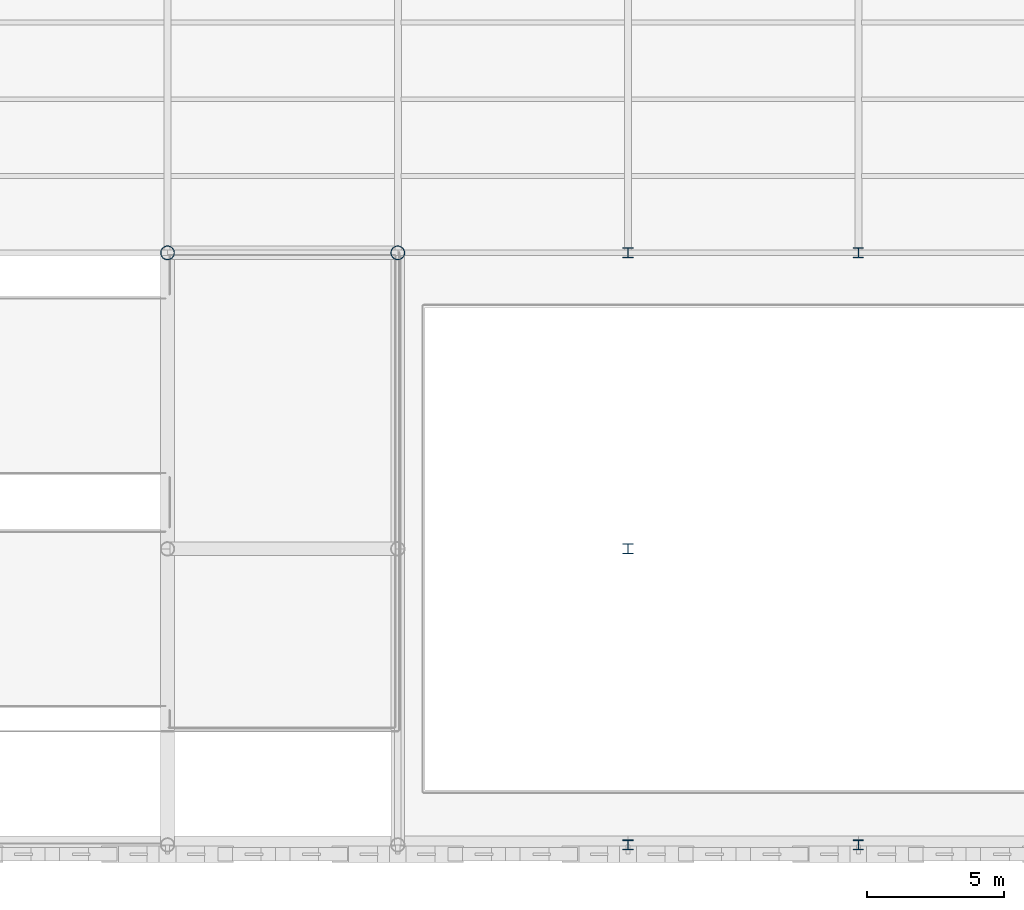
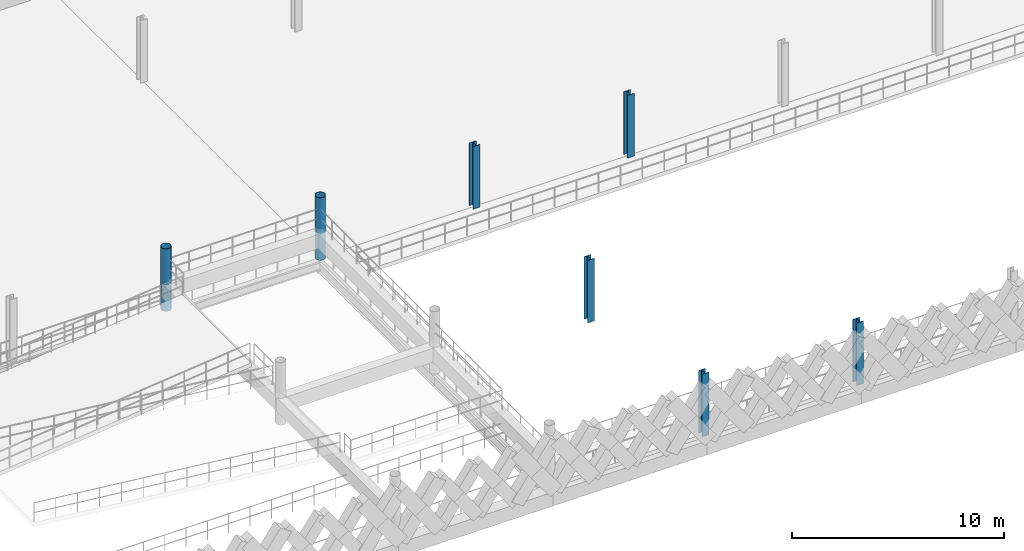
# One storey, part 2 of 74: 7 columns.
"""IFC4 building model written with IfcOpenShell, lengths in metres."""

from ifc_helpers import new_model, si_unit, direction, frame, origin, origin_2d, place, context, subcontext, project, spatial, hollow_circle, i_section, extrude, material, material_profile, profile_set, type_object, element, save


model = new_model("IFC4")

# Units and contexts
model_context = context("Model", 3, precision=1e-05, world=origin(), true_north=direction((0.0, 1.0)))
body_context = subcontext(model_context, "Body", "Model", "MODEL_VIEW")
ifc_project = project(units=[si_unit("LENGTHUNIT", "METRE"), si_unit("AREAUNIT", "SQUARE_METRE"), si_unit("VOLUMEUNIT", "CUBIC_METRE"), si_unit("PLANEANGLEUNIT", "RADIAN"), si_unit("MASSUNIT", "GRAM", prefix="KILO"), si_unit("THERMODYNAMICTEMPERATUREUNIT", "KELVIN"), si_unit("POWERUNIT", "WATT")], contexts=[model_context])

# Site, building, storey
site_placement = place(None, origin())
site = spatial("IfcSite", under=ifc_project, at=site_placement, CompositionType="ELEMENT")
building_placement = place(site_placement, origin())
building = spatial("IfcBuilding", under=site, at=building_placement, Name="Tembeka Court Mobility Hub", CompositionType="ELEMENT")
storey_placement = place(building_placement, frame((0.0, 0.0, 12.60009765625)))
storey = spatial("IfcBuildingStorey", under=building, at=storey_placement, Name="L03", CompositionType="ELEMENT", Elevation=12.60009765625)

# Columns
ifc_material = material(Name="Steel S355", Category="steel")
ifc_material_profile_1 = material_profile(ifc_material, i_section(OverallWidth=0.373046875, OverallDepth=0.367919921875, WebThickness=0.014404296875, FlangeThickness=0.023681640625, FilletRadius=0.01513671875, at=origin_2d()), Name="UKC 356x368x177")
ifc_profile_set_1 = profile_set([ifc_material_profile_1], Name="Steel S355")
column_type_1 = type_object("IfcColumnType", Name="COL-C03", PredefinedType="COLUMN", material=ifc_profile_set_1)
for number, where, z_axis, x_axis, name in (
    (1, (50.39990234375, 0.0, 0.0), (0.0, 0.0, 1.0), (1.0, 0.0, 0.0), "Column C03 (L03-071)"),
    (2, (50.39990234375, 10.800048828125, 0.0), (0.0, 0.0, 1.0), (1.0, 0.0, 0.0), "Column C03 (L03-072)"),
    (3, (50.39990234375, 21.60009765625, 0.0), (0.0, 0.0, 1.0), (1.0, 0.0, 0.0), "Column C03 (L03-073)"),
    (4, (58.800048828125, 0.0, 0.0), (0.0, 0.0, 1.0), (1.0, 0.0, 0.0), "Column C03 (L03-083)"),
    (5, (58.800048828125, 21.60009765625, 0.0), (0.0, 0.0, 1.0), (1.0, 0.0, 0.0), "Column C03 (L03-084)"),
):
    element("IfcColumn", number, at=place(storey_placement, frame(where, z_axis=z_axis, x_axis=x_axis)), inside=storey, type_object=column_type_1, Name=name, PredefinedType="COLUMN", context=body_context, shape_type="SweptSolid", body=[
        extrude(i_section(OverallWidth=0.373046875, OverallDepth=0.367919921875, WebThickness=0.014404296875, FlangeThickness=0.023681640625, FilletRadius=0.01513671875, at=origin_2d()), origin(), (0.0, 0.0, 1.0), 3.599853515625),
    ])
ifc_material_profile_2 = material_profile(ifc_material, hollow_circle(Radius=0.25390625, WallThickness=0.01611328125, at=origin_2d()), Name="CHS 508x16")
ifc_profile_set_2 = profile_set([ifc_material_profile_2], Name="Steel S355")
column_type_2 = type_object("IfcColumnType", Name="COL-C08", PredefinedType="COLUMN", material=ifc_profile_set_2)
for number, where, z_axis, x_axis, name in (
    (6, (33.60009765625, 21.60009765625, 0.0), (0.0, 0.0, 1.0), (1.0, 0.0, 0.0), "Column C08 (L03-049)"),
    (7, (42.0, 21.60009765625, 0.0), (0.0, 0.0, 1.0), (1.0, 0.0, 0.0), "Column C08 (L03-061)"),
):
    element("IfcColumn", number, at=place(storey_placement, frame(where, z_axis=z_axis, x_axis=x_axis)), inside=storey, type_object=column_type_2, Name=name, PredefinedType="COLUMN", context=body_context, shape_type="SweptSolid", body=[
        extrude(hollow_circle(Radius=0.25390625, WallThickness=0.01611328125, at=origin_2d()), origin(), (0.0, 0.0, 1.0), 3.599853515625),
    ])

save(model, "model.ifc")
